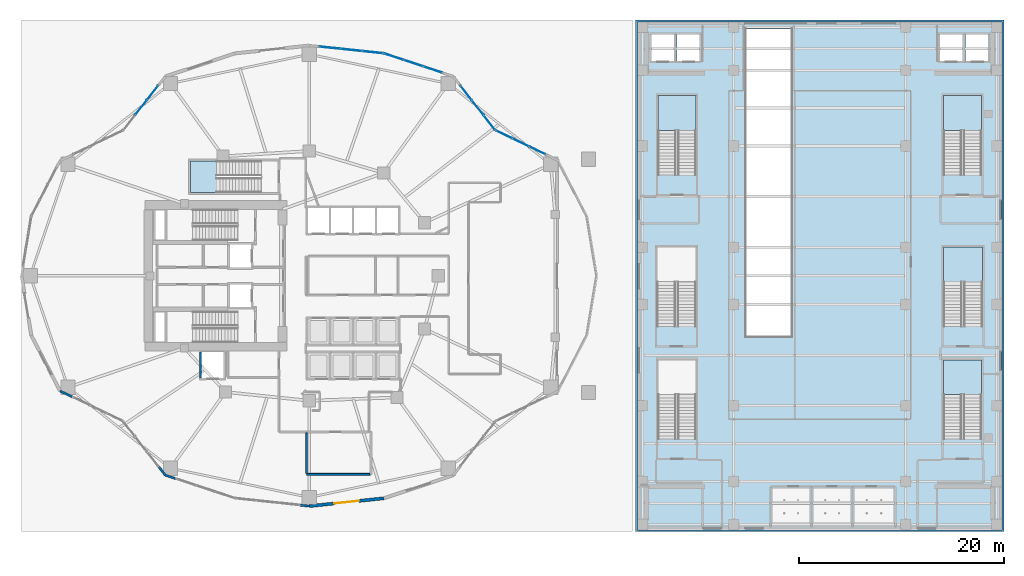
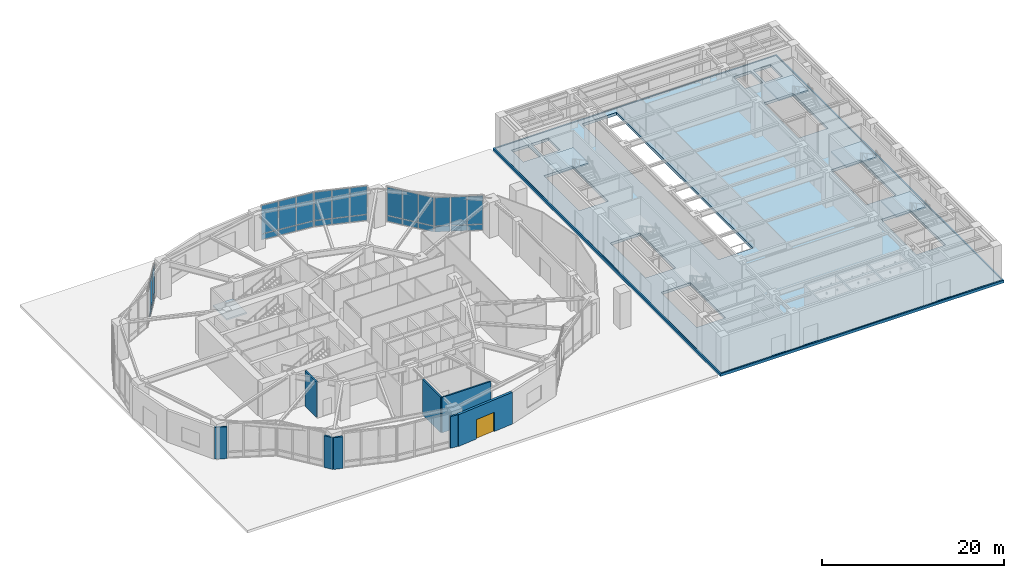
# One storey, part 10 of 23: 28 plates, 8 walls, 7 slabs, 1 door, 1 opening, 10 elements without a shape of their own.
"""IFC4 building model written with IfcOpenShell, lengths in metres."""

import ifcopenshell
import ifcopenshell.guid

model = None  # the IFC model being written
_history = None  # IfcOwnerHistory: only IFC2X3 demands one
_inside = {}  # id of a spatial element -> (the spatial element, [elements in it])
_under = {}  # id of a project, library or spatial element -> (it, [spatial elements below it])
_declared = {}  # id of a project -> (the project, [libraries it declares])
_typed = {}  # id of a type object -> (the type object, [elements of that type])
_made_of = {}  # id of a material, layer set ... -> (it, [elements and type objects made of it])


def new_model(schema):
    """Start an empty IFC model of exactly this schema.

    Asked for "IFC4X3", IfcOpenShell would pick the latest addendum, in which some entities
    have other attributes; the version numbers below select the first issue.
    IFC2X3 requires an IfcOwnerHistory on every rooted entity: one is made here for all.
    """
    global model, _history
    if schema == "IFC4X3":
        model = ifcopenshell.file(schema_version=(4, 3, 0, 0))
    else:
        model = ifcopenshell.file(schema=schema)
    _inside.clear()
    _under.clear()
    _declared.clear()
    _typed.clear()
    _made_of.clear()
    _history = None
    if model.schema == "IFC2X3":
        org = make("IfcOrganization", Name="unknown")
        user = make(
            "IfcPersonAndOrganization",
            ThePerson=make("IfcPerson", FamilyName="unknown"),
            TheOrganization=org,
        )
        app = make(
            "IfcApplication",
            ApplicationDeveloper=org,
            Version="unknown",
            ApplicationFullName="unknown",
            ApplicationIdentifier="unknown",
        )
        _history = make(
            "IfcOwnerHistory",
            OwningUser=user,
            OwningApplication=app,
            ChangeAction="ADDED",
            CreationDate=0,
        )
    return model


def make(cls, **values):
    """One entity of the class cls with the attributes given. An attribute that is None is left unset."""
    return model.create_entity(
        cls, **{name: value for name, value in values.items() if value is not None}
    )


def rooted(cls, **values):
    """An entity with a GlobalId (a new one), such as an element, a storey or a relation."""
    return make(cls, GlobalId=ifcopenshell.guid.new(), OwnerHistory=_history, **values)


def si_unit(unit_type, name, prefix=None):
    """IfcSIUnit, for example si_unit("LENGTHUNIT", "METRE", prefix="MILLI")."""
    return make("IfcSIUnit", UnitType=unit_type, Prefix=prefix, Name=name)


def assignment(units):
    """IfcUnitAssignment: the units of a project."""
    return None if units is None else make("IfcUnitAssignment", Units=units)


def point(xyz):
    """IfcCartesianPoint."""
    return None if xyz is None else make("IfcCartesianPoint", Coordinates=xyz)


def direction(xyz):
    """IfcDirection."""
    return None if xyz is None else make("IfcDirection", DirectionRatios=xyz)


def frame(location, z_axis=None, x_axis=None):
    """IfcAxis2Placement3D, a coordinate frame: its origin and axes. An axis left out is left unset."""
    return make(
        "IfcAxis2Placement3D",
        Location=point(location),
        Axis=direction(z_axis),
        RefDirection=direction(x_axis),
    )


def frame_2d(location, x_axis=None):
    """IfcAxis2Placement2D, a coordinate frame in the plane: its origin and x axis."""
    return make(
        "IfcAxis2Placement2D", Location=point(location), RefDirection=direction(x_axis)
    )


def origin():
    """The frame at (0, 0, 0) with its axes left unset."""
    return frame((0.0, 0.0, 0.0))


def origin_2d():
    """The frame at (0, 0) in the plane with its x axis left unset."""
    return frame_2d((0.0, 0.0))


def place(relative_to, where):
    """IfcLocalPlacement: puts the frame where relative to a parent placement (None: the world)."""
    return make(
        "IfcLocalPlacement", PlacementRelTo=relative_to, RelativePlacement=where
    )


def context(
    kind, dimensions, precision=None, world=None, true_north=None, identifier=None
):
    """IfcGeometricRepresentationContext, for example the 3D "Model" context."""
    return make(
        "IfcGeometricRepresentationContext",
        ContextIdentifier=identifier,
        ContextType=kind,
        CoordinateSpaceDimension=dimensions,
        Precision=precision,
        WorldCoordinateSystem=world,
        TrueNorth=true_north,
    )


def subcontext(parent, identifier, kind, view, scale=None):
    """IfcGeometricRepresentationSubContext, for example "Body" below "Model"."""
    return make(
        "IfcGeometricRepresentationSubContext",
        ContextIdentifier=identifier,
        ContextType=kind,
        ParentContext=parent,
        TargetScale=scale,
        TargetView=view,
    )


def project(units=None, contexts=None):
    """IfcProject with its units and contexts."""
    return rooted(
        "IfcProject",
        Name="project",
        RepresentationContexts=contexts,
        UnitsInContext=assignment(units),
    )


def spatial(cls, under=None, at=None, **own):
    """A site, building, storey or space (cls), placed at a placement, below another one or the project."""
    s = rooted(cls, ObjectPlacement=at, **own)
    if under is not None:
        _under.setdefault(under.id(), (under, []))[1].append(s)
    return s


def polyline(points):
    """IfcPolyline through the points."""
    return make("IfcPolyline", Points=[point(p) for p in points])


def profile(cls, at=None, kind="AREA", **sizes):
    """A parametric profile (cls). Its sizes go by their IFC names, for example OverallWidth=200.0."""
    return make(cls, ProfileType=kind, Position=at, **sizes)


def rectangle(**sizes):
    """IfcRectangleProfileDef."""
    return profile("IfcRectangleProfileDef", **sizes)


def outline(outer, holes=None, kind="AREA"):
    """IfcArbitraryClosedProfileDef: a profile drawn as a closed curve; with holes, ...WithVoids."""
    if holes is None:
        return make("IfcArbitraryClosedProfileDef", ProfileType=kind, OuterCurve=outer)
    return make(
        "IfcArbitraryProfileDefWithVoids",
        ProfileType=kind,
        OuterCurve=outer,
        InnerCurves=holes,
    )


def extrude(swept, where, along, depth):
    """IfcExtrudedAreaSolid: the profile swept, set in the frame where, extruded along a direction by depth."""
    return make(
        "IfcExtrudedAreaSolid",
        SweptArea=swept,
        Position=where,
        ExtrudedDirection=direction(along),
        Depth=depth,
    )


def shape(context_of_items, identifier, shape_type, items):
    """IfcShapeRepresentation: the items that make up one representation, for example the "Body"."""
    return make(
        "IfcShapeRepresentation",
        ContextOfItems=context_of_items,
        RepresentationIdentifier=identifier,
        RepresentationType=shape_type,
        Items=items,
    )


def material(Name=None, Category=None):
    """IfcMaterial."""
    return make("IfcMaterial", Name=Name, Category=Category)


def layer(
    of_material, thickness, ventilated=None, Name=None, Category=None, Priority=None
):
    """IfcMaterialLayer: one layer of a wall or slab, of a material (None: an air gap)."""
    return make(
        "IfcMaterialLayer",
        Material=of_material,
        LayerThickness=thickness,
        IsVentilated=ventilated,
        Name=Name,
        Category=Category,
        Priority=Priority,
    )


def layer_set(layers, Name=None):
    """IfcMaterialLayerSet."""
    return make("IfcMaterialLayerSet", MaterialLayers=layers, LayerSetName=Name)


def made_of(thing, what):
    """Note that an element or type object is made of a material, layer set ...; save() writes the relation."""
    if what is not None:
        _made_of.setdefault(what.id(), (what, []))[1].append(thing)
    return thing


def type_object(cls, material=None, **own):
    """A type object (cls), such as IfcWallType, which elements share."""
    return made_of(rooted(cls, **own), material)


def element(
    cls,
    number,
    at=None,
    inside=None,
    cuts=None,
    type_object=None,
    material=None,
    context=None,
    identifier="Body",
    shape_type=None,
    held_by="IfcProductDefinitionShape",
    body=None,
    shapes=None,
    **own,
):
    """One element of the class cls, such as IfcWall. Its Tag is "e" and its number.

    at: its placement. inside: the storey or other place that contains it. cuts: it is an
    opening in that element (IfcRelVoidsElement). A single representation is given by context,
    identifier, shape_type and body (its items); several are given by shapes. held_by: the class
    of the entity that holds the representations. save() writes the other relations.
    """
    e = rooted(cls, Tag="e%d" % number, ObjectPlacement=at, **own)
    if body is not None:
        shapes = [shape(context, identifier, shape_type, body)]
    if shapes is not None:
        e.Representation = make(held_by, Representations=shapes)
    if inside is not None:
        _inside.setdefault(inside.id(), (inside, []))[1].append(e)
    if cuts is not None:
        rooted(
            "IfcRelVoidsElement", RelatingBuildingElement=cuts, RelatedOpeningElement=e
        )
    if type_object is not None:
        _typed.setdefault(type_object.id(), (type_object, []))[1].append(e)
    return made_of(e, material)


def fill(opening, filler):
    """IfcRelFillsElement: the door or window that sits in an opening."""
    return rooted(
        "IfcRelFillsElement",
        RelatingOpeningElement=opening,
        RelatedBuildingElement=filler,
    )


def aggregate(whole, parts):
    """IfcRelAggregates: a whole, such as a stair, and the parts it consists of."""
    return rooted("IfcRelAggregates", RelatingObject=whole, RelatedObjects=parts)


def save(model, path):
    """Write the relations noted so far, then the file.

    IfcRelAggregates (storeys below a building ...), IfcRelContainedInSpatialStructure (elements
    in a storey), IfcRelDefinesByType, IfcRelAssociatesMaterial and IfcRelDeclares: one each for
    every whole, place, type object, material and project.
    """
    for whole, parts in _under.values():
        aggregate(whole, parts)
    for where, things in _inside.values():
        rooted(
            "IfcRelContainedInSpatialStructure",
            RelatedElements=things,
            RelatingStructure=where,
        )
    for kind, things in _typed.values():
        rooted("IfcRelDefinesByType", RelatedObjects=things, RelatingType=kind)
    for what, things in _made_of.values():
        rooted("IfcRelAssociatesMaterial", RelatedObjects=things, RelatingMaterial=what)
    for by, libraries in _declared.values():
        rooted("IfcRelDeclares", RelatingContext=by, RelatedDefinitions=libraries)
    model.write(path)


model = new_model("IFC4")

# Units and contexts
model_context = context("Model", 3, precision=1e-05, world=origin(), true_north=direction((0.0, 1.0)))
body_context = subcontext(model_context, "Body", "Model", "MODEL_VIEW")
ifc_project = project(units=[si_unit("LENGTHUNIT", "METRE"), si_unit("AREAUNIT", "SQUARE_METRE"), si_unit("VOLUMEUNIT", "CUBIC_METRE"), si_unit("PLANEANGLEUNIT", "RADIAN"), si_unit("MASSUNIT", "GRAM", prefix="KILO")], contexts=[model_context])

# Site, building, storey
site_placement = place(None, origin())
site = spatial("IfcSite", under=ifc_project, at=site_placement, CompositionType="ELEMENT")
building_placement = place(site_placement, origin())
building = spatial("IfcBuilding", under=site, at=building_placement, Name="Kolvaren Gate Tower and Convention Centre", CompositionType="ELEMENT")
storey_placement = place(building_placement, origin())
storey = spatial("IfcBuildingStorey", under=building, at=storey_placement, Name="L00", CompositionType="ELEMENT", Elevation=0.0)

# Curtain wall, plates
ifc_material_1 = material(Name="Anodized Architectural Aluminium Alloy 6063-T6", Category="aluminium")
ifc_layer_1 = layer(ifc_material_1, 0.179931640625)
ifc_layer_set_1 = layer_set([ifc_layer_1], Name="Anodized Architectural Aluminium Alloy 6063-T6")
curtain_wall_type = type_object("IfcCurtainWallType", Name="CW-POD-GLZ", PredefinedType="NOTDEFINED", material=ifc_layer_set_1)
curtain_wall_1_placement = place(storey_placement, origin())
curtain_wall_1 = element("IfcCurtainWall", 1, at=curtain_wall_1_placement, inside=storey, type_object=curtain_wall_type, Name="Tower L00 Unitised Curtain Wall CW-POD-GLZ Bay 02", PredefinedType="NOTDEFINED")
ifc_material_2 = material(Name="Low-E Triple Insulated Glazing Unit 44 mm", Category="glass")
ifc_layer_2 = layer(ifc_material_2, 0.0439453125)
ifc_layer_set_2 = layer_set([ifc_layer_2], Name="Low-E Triple Insulated Glazing Unit 44 mm")
plate_type_1 = type_object("IfcPlateType", Name="CW-PL-IGU-44", PredefinedType="CURTAIN_PANEL", material=ifc_layer_set_2)
plate_1_placement = place(storey_placement, frame((49.15234375, 40.810546875, 0.8876953125), z_axis=(0.0, 0.0, 1.0), x_axis=(0.90136380435, -0.433062688542, 0.0)))
plate_1 = element("IfcPlate", 2, at=plate_1_placement, type_object=plate_type_1, Name="CW-01 panel 1.2", PredefinedType="CURTAIN_PANEL", context=body_context, shape_type="SweptSolid", body=[
    extrude(rectangle(XDim=1.70751953125, YDim=0.0439453125, at=origin_2d()), origin(), (0.0, 0.0, 1.0), 3.777587890625),
])
plate_2_placement = place(storey_placement, frame((50.77587890625, 40.030517578125, 0.8876953125), z_axis=(0.0, 0.0, 1.0), x_axis=(0.90136380435, -0.433062688542, 0.0)))
plate_2 = element("IfcPlate", 3, at=plate_2_placement, type_object=plate_type_1, Name="CW-01 panel 2.2", PredefinedType="CURTAIN_PANEL", context=body_context, shape_type="SweptSolid", body=[
    extrude(rectangle(XDim=1.744873046875, YDim=0.0439453125, at=origin_2d()), origin(), (0.0, 0.0, 1.0), 3.777587890625),
])
plate_3_placement = place(storey_placement, frame((52.399658203125, 39.25048828125, 0.8876953125), z_axis=(0.0, 0.0, 1.0), x_axis=(0.90136380435, -0.433062688542, 0.0)))
plate_3 = element("IfcPlate", 4, at=plate_3_placement, type_object=plate_type_1, Name="CW-01 panel 3.2", PredefinedType="CURTAIN_PANEL", context=body_context, shape_type="SweptSolid", body=[
    extrude(rectangle(XDim=1.70751953125, YDim=0.0439453125, at=origin_2d()), origin(), (0.0, 0.0, 1.0), 3.777587890625),
])

curtain_wall_2_placement = place(storey_placement, origin())
curtain_wall_2 = element("IfcCurtainWall", 5, at=curtain_wall_2_placement, inside=storey, type_object=curtain_wall_type, Name="Tower L00 Unitised Curtain Wall CW-POD-GLZ Bay 03", PredefinedType="NOTDEFINED")
plate_4_placement = place(storey_placement, frame((45.439697265625, 44.885986328125, 0.8876953125), z_axis=(0.0, 0.0, 1.0), x_axis=(0.616425794643, -0.787413004527, 0.0)))
plate_4 = element("IfcPlate", 6, at=plate_4_placement, type_object=plate_type_1, Name="CW-01 panel 1.2", PredefinedType="CURTAIN_PANEL", context=body_context, shape_type="SweptSolid", body=[
    extrude(rectangle(XDim=1.760986328125, YDim=0.0439453125, at=origin_2d()), origin(), (0.0, 0.0, 1.0), 3.777587890625),
])
plate_5_placement = place(storey_placement, frame((46.5830078125, 43.425537109375, 0.8876953125), z_axis=(0.0, 0.0, 1.0), x_axis=(0.616425794643, -0.787413004527, 0.0)))
plate_5 = element("IfcPlate", 7, at=plate_5_placement, type_object=plate_type_1, Name="CW-01 panel 2.2", PredefinedType="CURTAIN_PANEL", context=body_context, shape_type="SweptSolid", body=[
    extrude(rectangle(XDim=1.79833984375, YDim=0.0439453125, at=origin_2d()), origin(), (0.0, 0.0, 1.0), 3.777587890625),
])
plate_6_placement = place(storey_placement, frame((47.726318359375, 41.965087890625, 0.8876953125), z_axis=(0.0, 0.0, 1.0), x_axis=(0.616425794643, -0.787413004527, 0.0)))
plate_6 = element("IfcPlate", 8, at=plate_6_placement, type_object=plate_type_1, Name="CW-01 panel 3.2", PredefinedType="CURTAIN_PANEL", context=body_context, shape_type="SweptSolid", body=[
    extrude(rectangle(XDim=1.760986328125, YDim=0.0439453125, at=origin_2d()), origin(), (0.0, 0.0, 1.0), 3.777587890625),
])

curtain_wall_3_placement = place(storey_placement, origin())
curtain_wall_3 = element("IfcCurtainWall", 9, at=curtain_wall_3_placement, inside=storey, type_object=curtain_wall_type, Name="Tower L00 Unitised Curtain Wall CW-POD-GLZ Bay 04", PredefinedType="NOTDEFINED")
plate_7_placement = place(storey_placement, frame((38.37939453125, 48.41015625, 0.8876953125), z_axis=(0.0, 0.0, 1.0), x_axis=(0.949243688479, -0.314541602786, 0.0)))
plate_7 = element("IfcPlate", 10, at=plate_7_placement, type_object=plate_type_1, Name="CW-01 panel 1.2", PredefinedType="CURTAIN_PANEL", context=body_context, shape_type="SweptSolid", body=[
    extrude(rectangle(XDim=1.904541015625, YDim=0.0439453125, at=origin_2d()), origin(), (0.0, 0.0, 1.0), 3.777587890625),
])
plate_8_placement = place(storey_placement, frame((40.2763671875, 47.78173828125, 0.8876953125), z_axis=(0.0, 0.0, 1.0), x_axis=(0.949243688479, -0.314541602786, 0.0)))
plate_8 = element("IfcPlate", 11, at=plate_8_placement, type_object=plate_type_1, Name="CW-01 panel 2.2", PredefinedType="CURTAIN_PANEL", context=body_context, shape_type="SweptSolid", body=[
    extrude(rectangle(XDim=1.94189453125, YDim=0.0439453125, at=origin_2d()), origin(), (0.0, 0.0, 1.0), 3.777587890625),
])
plate_9_placement = place(storey_placement, frame((42.173095703125, 47.153076171875, 0.8876953125), z_axis=(0.0, 0.0, 1.0), x_axis=(0.949243688479, -0.314541602786, 0.0)))
plate_9 = element("IfcPlate", 12, at=plate_9_placement, type_object=plate_type_1, Name="CW-01 panel 3.2", PredefinedType="CURTAIN_PANEL", context=body_context, shape_type="SweptSolid", body=[
    extrude(rectangle(XDim=1.904541015625, YDim=0.0439453125, at=origin_2d()), origin(), (0.0, 0.0, 1.0), 3.777587890625),
])

curtain_wall_4_placement = place(storey_placement, origin())
curtain_wall_4 = element("IfcCurtainWall", 13, at=curtain_wall_4_placement, inside=storey, type_object=curtain_wall_type, Name="Tower L00 Unitised Curtain Wall CW-POD-GLZ Bay 05", PredefinedType="NOTDEFINED")
plate_10_placement = place(storey_placement, frame((32.126708984375, 49.2890625, 0.8876953125), z_axis=(0.0, 0.0, 1.0), x_axis=(0.994498762941, -0.104748319841, 0.0)))
plate_10 = element("IfcPlate", 14, at=plate_10_placement, type_object=plate_type_1, Name="CW-01 panel 1.2", PredefinedType="CURTAIN_PANEL", context=body_context, shape_type="SweptSolid", body=[
    extrude(rectangle(XDim=2.017578125, YDim=0.0439453125, at=origin_2d()), origin(), (0.0, 0.0, 1.0), 3.777587890625),
])
plate_11_placement = place(storey_placement, frame((34.2265625, 49.068115234375, 0.8876953125), z_axis=(0.0, 0.0, 1.0), x_axis=(0.994498762941, -0.104748319841, 0.0)))
plate_11 = element("IfcPlate", 15, at=plate_11_placement, type_object=plate_type_1, Name="CW-01 panel 2.2", PredefinedType="CURTAIN_PANEL", context=body_context, shape_type="SweptSolid", body=[
    extrude(rectangle(XDim=2.05517578125, YDim=0.0439453125, at=origin_2d()), origin(), (0.0, 0.0, 1.0), 3.777587890625),
])
plate_12_placement = place(storey_placement, frame((36.326416015625, 48.846923828125, 0.8876953125), z_axis=(0.0, 0.0, 1.0), x_axis=(0.994498762941, -0.104748319841, 0.0)))
plate_12 = element("IfcPlate", 16, at=plate_12_placement, type_object=plate_type_1, Name="CW-01 panel 3.2", PredefinedType="CURTAIN_PANEL", context=body_context, shape_type="SweptSolid", body=[
    extrude(rectangle(XDim=2.017578125, YDim=0.0439453125, at=origin_2d()), origin(), (0.0, 0.0, 1.0), 3.777587890625),
])

curtain_wall_5_placement = place(storey_placement, origin())
curtain_wall_5 = element("IfcCurtainWall", 17, at=curtain_wall_5_placement, inside=storey, type_object=curtain_wall_type, Name="Tower L00 Unitised Curtain Wall CW-POD-GLZ Bay 08", PredefinedType="NOTDEFINED")
plate_13_placement = place(storey_placement, frame((13.666748046875, 43.425537109375, 0.8876953125), z_axis=(0.0, 0.0, 1.0), x_axis=(0.616421003276, 0.787416755422, 0.0)))
plate_13 = element("IfcPlate", 18, at=plate_13_placement, type_object=plate_type_1, Name="CW-01 panel 2.2", PredefinedType="CURTAIN_PANEL", context=body_context, shape_type="SweptSolid", body=[
    extrude(rectangle(XDim=1.79833984375, YDim=0.0439453125, at=origin_2d()), origin(), (0.0, 0.0, 1.0), 3.777587890625),
])
plate_14_placement = place(storey_placement, frame((14.81005859375, 44.8857421875, 0.8876953125), z_axis=(0.0, 0.0, 1.0), x_axis=(0.616421003276, 0.787416755422, 0.0)))
plate_14 = element("IfcPlate", 19, at=plate_14_placement, type_object=plate_type_1, Name="CW-01 panel 3.2", PredefinedType="CURTAIN_PANEL", context=body_context, shape_type="SweptSolid", body=[
    extrude(rectangle(XDim=1.7607421875, YDim=0.0439453125, at=origin_2d()), origin(), (0.0, 0.0, 1.0), 3.777587890625),
])

# Plate
ifc_material_3 = material(Name="Solar-Control Laminated Curtain Glazing 36 mm", Category="glass")
ifc_layer_3 = layer(ifc_material_3, 0.035888671875)
ifc_layer_set_3 = layer_set([ifc_layer_3], Name="Solar-Control Laminated Curtain Glazing 36 mm")
plate_type_2 = type_object("IfcPlateType", Name="CW-PL-SPAN-36", PredefinedType="CURTAIN_PANEL", material=ifc_layer_set_3)
plate_15_placement = place(storey_placement, frame((49.15234375, 40.810546875, 0.0751953125), z_axis=(0.0, 0.0, 1.0), x_axis=(0.90136380435, -0.433062688542, 0.0)))
plate_15 = element("IfcPlate", 20, at=plate_15_placement, type_object=plate_type_2, Name="CW-01 panel 1.1", PredefinedType="CURTAIN_PANEL", context=body_context, shape_type="SweptSolid", body=[
    extrude(rectangle(XDim=1.70751953125, YDim=0.035888671875, at=origin_2d()), origin(), (0.0, 0.0, 1.0), 0.737548828125),
])

plate_16_placement = place(storey_placement, frame((50.77587890625, 40.030517578125, 0.0751953125), z_axis=(0.0, 0.0, 1.0), x_axis=(0.90136380435, -0.433062688542, 0.0)))
plate_16 = element("IfcPlate", 21, at=plate_16_placement, type_object=plate_type_2, Name="CW-01 panel 2.1", PredefinedType="CURTAIN_PANEL", context=body_context, shape_type="SweptSolid", body=[
    extrude(rectangle(XDim=1.744873046875, YDim=0.035888671875, at=origin_2d()), origin(), (0.0, 0.0, 1.0), 0.737548828125),
])

plate_17_placement = place(storey_placement, frame((52.399658203125, 39.25048828125, 0.0751953125), z_axis=(0.0, 0.0, 1.0), x_axis=(0.90136380435, -0.433062688542, 0.0)))
plate_17 = element("IfcPlate", 22, at=plate_17_placement, type_object=plate_type_2, Name="CW-01 panel 3.1", PredefinedType="CURTAIN_PANEL", context=body_context, shape_type="SweptSolid", body=[
    extrude(rectangle(XDim=1.70751953125, YDim=0.035888671875, at=origin_2d()), origin(), (0.0, 0.0, 1.0), 0.737548828125),
])

aggregate(curtain_wall_1, [plate_15, plate_1, plate_16, plate_2, plate_17, plate_3])

plate_18_placement = place(storey_placement, frame((45.439697265625, 44.885986328125, 0.0751953125), z_axis=(0.0, 0.0, 1.0), x_axis=(0.616425794643, -0.787413004527, 0.0)))
plate_18 = element("IfcPlate", 23, at=plate_18_placement, type_object=plate_type_2, Name="CW-01 panel 1.1", PredefinedType="CURTAIN_PANEL", context=body_context, shape_type="SweptSolid", body=[
    extrude(rectangle(XDim=1.760986328125, YDim=0.035888671875, at=origin_2d()), origin(), (0.0, 0.0, 1.0), 0.737548828125),
])

plate_19_placement = place(storey_placement, frame((46.5830078125, 43.425537109375, 0.0751953125), z_axis=(0.0, 0.0, 1.0), x_axis=(0.616425794643, -0.787413004527, 0.0)))
plate_19 = element("IfcPlate", 24, at=plate_19_placement, type_object=plate_type_2, Name="CW-01 panel 2.1", PredefinedType="CURTAIN_PANEL", context=body_context, shape_type="SweptSolid", body=[
    extrude(rectangle(XDim=1.79833984375, YDim=0.035888671875, at=origin_2d()), origin(), (0.0, 0.0, 1.0), 0.737548828125),
])

plate_20_placement = place(storey_placement, frame((47.726318359375, 41.965087890625, 0.0751953125), z_axis=(0.0, 0.0, 1.0), x_axis=(0.616425794643, -0.787413004527, 0.0)))
plate_20 = element("IfcPlate", 25, at=plate_20_placement, type_object=plate_type_2, Name="CW-01 panel 3.1", PredefinedType="CURTAIN_PANEL", context=body_context, shape_type="SweptSolid", body=[
    extrude(rectangle(XDim=1.760986328125, YDim=0.035888671875, at=origin_2d()), origin(), (0.0, 0.0, 1.0), 0.737548828125),
])

aggregate(curtain_wall_2, [plate_18, plate_4, plate_19, plate_5, plate_20, plate_6])

plate_21_placement = place(storey_placement, frame((38.37939453125, 48.41015625, 0.0751953125), z_axis=(0.0, 0.0, 1.0), x_axis=(0.949243688479, -0.314541602786, 0.0)))
plate_21 = element("IfcPlate", 26, at=plate_21_placement, type_object=plate_type_2, Name="CW-01 panel 1.1", PredefinedType="CURTAIN_PANEL", context=body_context, shape_type="SweptSolid", body=[
    extrude(rectangle(XDim=1.904541015625, YDim=0.035888671875, at=origin_2d()), origin(), (0.0, 0.0, 1.0), 0.737548828125),
])

plate_22_placement = place(storey_placement, frame((40.2763671875, 47.78173828125, 0.0751953125), z_axis=(0.0, 0.0, 1.0), x_axis=(0.949243688479, -0.314541602786, 0.0)))
plate_22 = element("IfcPlate", 27, at=plate_22_placement, type_object=plate_type_2, Name="CW-01 panel 2.1", PredefinedType="CURTAIN_PANEL", context=body_context, shape_type="SweptSolid", body=[
    extrude(rectangle(XDim=1.94189453125, YDim=0.035888671875, at=origin_2d()), origin(), (0.0, 0.0, 1.0), 0.737548828125),
])

plate_23_placement = place(storey_placement, frame((42.173095703125, 47.153076171875, 0.0751953125), z_axis=(0.0, 0.0, 1.0), x_axis=(0.949243688479, -0.314541602786, 0.0)))
plate_23 = element("IfcPlate", 28, at=plate_23_placement, type_object=plate_type_2, Name="CW-01 panel 3.1", PredefinedType="CURTAIN_PANEL", context=body_context, shape_type="SweptSolid", body=[
    extrude(rectangle(XDim=1.904541015625, YDim=0.035888671875, at=origin_2d()), origin(), (0.0, 0.0, 1.0), 0.737548828125),
])

aggregate(curtain_wall_3, [plate_21, plate_7, plate_22, plate_8, plate_23, plate_9])

plate_24_placement = place(storey_placement, frame((32.126708984375, 49.2890625, 0.0751953125), z_axis=(0.0, 0.0, 1.0), x_axis=(0.994498762941, -0.104748319841, 0.0)))
plate_24 = element("IfcPlate", 29, at=plate_24_placement, type_object=plate_type_2, Name="CW-01 panel 1.1", PredefinedType="CURTAIN_PANEL", context=body_context, shape_type="SweptSolid", body=[
    extrude(rectangle(XDim=2.017578125, YDim=0.035888671875, at=origin_2d()), origin(), (0.0, 0.0, 1.0), 0.737548828125),
])

plate_25_placement = place(storey_placement, frame((34.2265625, 49.068115234375, 0.0751953125), z_axis=(0.0, 0.0, 1.0), x_axis=(0.994498762941, -0.104748319841, 0.0)))
plate_25 = element("IfcPlate", 30, at=plate_25_placement, type_object=plate_type_2, Name="CW-01 panel 2.1", PredefinedType="CURTAIN_PANEL", context=body_context, shape_type="SweptSolid", body=[
    extrude(rectangle(XDim=2.05517578125, YDim=0.035888671875, at=origin_2d()), origin(), (0.0, 0.0, 1.0), 0.737548828125),
])

plate_26_placement = place(storey_placement, frame((36.326416015625, 48.846923828125, 0.0751953125), z_axis=(0.0, 0.0, 1.0), x_axis=(0.994498762941, -0.104748319841, 0.0)))
plate_26 = element("IfcPlate", 31, at=plate_26_placement, type_object=plate_type_2, Name="CW-01 panel 3.1", PredefinedType="CURTAIN_PANEL", context=body_context, shape_type="SweptSolid", body=[
    extrude(rectangle(XDim=2.017578125, YDim=0.035888671875, at=origin_2d()), origin(), (0.0, 0.0, 1.0), 0.737548828125),
])

aggregate(curtain_wall_4, [plate_24, plate_10, plate_25, plate_11, plate_26, plate_12])

plate_27_placement = place(storey_placement, frame((13.666748046875, 43.425537109375, 0.0751953125), z_axis=(0.0, 0.0, 1.0), x_axis=(0.616421003276, 0.787416755422, 0.0)))
plate_27 = element("IfcPlate", 32, at=plate_27_placement, type_object=plate_type_2, Name="CW-01 panel 2.1", PredefinedType="CURTAIN_PANEL", context=body_context, shape_type="SweptSolid", body=[
    extrude(rectangle(XDim=1.79833984375, YDim=0.035888671875, at=origin_2d()), origin(), (0.0, 0.0, 1.0), 0.737548828125),
])

plate_28_placement = place(storey_placement, frame((14.81005859375, 44.8857421875, 0.0751953125), z_axis=(0.0, 0.0, 1.0), x_axis=(0.616421003276, 0.787416755422, 0.0)))
plate_28 = element("IfcPlate", 33, at=plate_28_placement, type_object=plate_type_2, Name="CW-01 panel 3.1", PredefinedType="CURTAIN_PANEL", context=body_context, shape_type="SweptSolid", body=[
    extrude(rectangle(XDim=1.7607421875, YDim=0.035888671875, at=origin_2d()), origin(), (0.0, 0.0, 1.0), 0.737548828125),
])

aggregate(curtain_wall_5, [plate_27, plate_13, plate_28, plate_14])

# Slabs
ifc_material_4 = material(Name="Concrete C50/60", Category="concrete")
ifc_layer_4 = layer(ifc_material_4, 0.360107421875)
ifc_layer_set_4 = layer_set([ifc_layer_4], Name="Concrete C50/60")
slab_type_1 = type_object("IfcSlabType", Name="STR-SL-FLR-360", PredefinedType="FLOOR", material=ifc_layer_set_4)
slab_1_placement = place(storey_placement, frame((0.0, 0.0, -0.360107421875)))
element("IfcSlab", 34, at=slab_1_placement, inside=storey, type_object=slab_type_1, Name="Ground Plaza Substructure Roof Apron Slab E1", PredefinedType="FLOOR", context=body_context, shape_type="SweptSolid", body=[
    extrude(outline(polyline([(62.0, 2.0), (62.0, 52.0), (98.0, 52.0), (98.0, 2.0), (62.0, 2.0)]), holes=[polyline([(97.820068359375, 51.820068359375), (62.179931640625, 51.820068359375), (62.179931640625, 2.179931640625), (97.820068359375, 2.179931640625), (97.820068359375, 51.820068359375)])]), origin(), (0.0, 0.0, 1.0), 0.360107421875),
])
slab_2_placement = place(storey_placement, frame((0.0, 0.0, -0.360107421875)))
element("IfcSlab", 35, at=slab_2_placement, inside=storey, type_object=slab_type_1, Name="Convention Centre L00 Structural Floor Slab", PredefinedType="FLOOR", context=body_context, shape_type="SweptSolid", body=[
    extrude(outline(polyline([(62.199951171875, 2.199951171875), (97.800048828125, 2.199951171875), (97.800048828125, 51.800048828125), (62.199951171875, 51.800048828125), (62.199951171875, 2.199951171875)]), holes=[polyline([(94.25, 48.0), (94.25, 50.60009765625), (96.449951171875, 50.60009765625), (96.449951171875, 48.0), (94.25, 48.0)]), polyline([(95.89990234375, 22.050048828125), (92.10009765625, 22.050048828125), (92.10009765625, 29.800048828125), (95.89990234375, 29.800048828125), (95.89990234375, 22.050048828125)]), polyline([(95.800048828125, 11.050048828125), (92.10009765625, 11.050048828125), (92.10009765625, 18.800048828125), (95.800048828125, 18.800048828125), (95.800048828125, 11.050048828125)]), polyline([(95.800048828125, 44.60009765625), (95.800048828125, 36.85009765625), (92.10009765625, 36.85009765625), (92.10009765625, 44.60009765625), (95.800048828125, 44.60009765625)]), polyline([(91.75, 48.0), (91.75, 50.60009765625), (93.949951171875, 50.60009765625), (93.949951171875, 48.0), (91.75, 48.0)]), polyline([(77.199951171875, 21.10009765625), (72.800048828125, 21.10009765625), (72.800048828125, 51.10009765625), (77.199951171875, 51.10009765625), (77.199951171875, 21.10009765625)]), polyline([(68.25, 48.0), (66.050048828125, 48.0), (66.050048828125, 50.60009765625), (68.25, 50.60009765625), (68.25, 48.0)]), polyline([(67.89990234375, 18.800048828125), (67.89990234375, 11.050048828125), (64.199951171875, 11.050048828125), (64.199951171875, 18.800048828125), (67.89990234375, 18.800048828125)]), polyline([(67.89990234375, 29.800048828125), (67.89990234375, 22.050048828125), (64.10009765625, 22.050048828125), (64.10009765625, 29.800048828125), (67.89990234375, 29.800048828125)]), polyline([(67.89990234375, 36.85009765625), (64.199951171875, 36.85009765625), (64.199951171875, 44.60009765625), (67.89990234375, 44.60009765625), (67.89990234375, 36.85009765625)]), polyline([(63.550048828125, 48.0), (63.550048828125, 50.60009765625), (65.75, 50.60009765625), (65.75, 48.0), (63.550048828125, 48.0)])]), origin(), (0.0, 0.0, 1.0), 0.360107421875),
])

# Stair, slab
stair_type_1 = type_object("IfcStairType", Name="STR-STAIR-CORE", PredefinedType="HALF_TURN_STAIR", material=ifc_material_4)
stair_1_placement = place(storey_placement, origin())
stair_1 = element("IfcStair", 36, at=stair_1_placement, inside=storey, type_object=stair_type_1, Name="L00 Tower Mid-Zone Exit Stair ST-T3", PredefinedType="HALF_TURN_STAIR")
ifc_layer_5 = layer(ifc_material_4, 0.199951171875)
ifc_layer_set_5 = layer_set([ifc_layer_5], Name="Concrete C50/60")
slab_type_2 = type_object("IfcSlabType", Name="STR-SL-LAND-200", PredefinedType="LANDING", material=ifc_layer_set_5)
slab_3_placement = place(storey_placement, frame((0.0, 0.0, 2.300048828125)))
slab_3 = element("IfcSlab", 37, at=slab_3_placement, type_object=slab_type_2, Name="ST-T3 landing 1", PredefinedType="LANDING", context=body_context, shape_type="SweptSolid", body=[
    extrude(outline(polyline([(21.06005859375, 38.199951171875), (18.5, 38.199951171875), (18.5, 35.159912109375), (21.06005859375, 35.159912109375), (21.06005859375, 38.199951171875)])), origin(), (0.0, 0.0, 1.0), 0.199951171875),
])
aggregate(stair_1, [slab_3])

stair_type_2 = type_object("IfcStairType", Name="STR-STAIR-CONV", PredefinedType="HALF_TURN_STAIR", material=ifc_material_4)
stair_2_placement = place(storey_placement, origin())
stair_2 = element("IfcStair", 38, at=stair_2_placement, inside=storey, type_object=stair_type_2, Name="L00 Convention NW Exit Stair ST-C1", PredefinedType="HALF_TURN_STAIR")
slab_4_placement = place(storey_placement, frame((0.0, 0.0, 2.300048828125)))
slab_4 = element("IfcSlab", 39, at=slab_4_placement, type_object=slab_type_2, Name="ST-C1 landing 1", PredefinedType="LANDING", context=body_context, shape_type="SweptSolid", body=[
    extrude(outline(polyline([(67.89990234375, 41.18994140625), (67.89990234375, 44.60009765625), (64.199951171875, 44.60009765625), (64.199951171875, 41.18994140625), (67.89990234375, 41.18994140625)])), origin(), (0.0, 0.0, 1.0), 0.199951171875),
])
aggregate(stair_2, [slab_4])

stair_3_placement = place(storey_placement, origin())
stair_3 = element("IfcStair", 40, at=stair_3_placement, inside=storey, type_object=stair_type_2, Name="L00 Convention NE Exit Stair ST-C3", PredefinedType="HALF_TURN_STAIR")
slab_5_placement = place(storey_placement, frame((0.0, 0.0, 2.300048828125)))
slab_5 = element("IfcSlab", 41, at=slab_5_placement, type_object=slab_type_2, Name="ST-C3 landing 1", PredefinedType="LANDING", context=body_context, shape_type="SweptSolid", body=[
    extrude(outline(polyline([(95.800048828125, 41.18994140625), (95.800048828125, 44.60009765625), (92.10009765625, 44.60009765625), (92.10009765625, 41.18994140625), (95.800048828125, 41.18994140625)])), origin(), (0.0, 0.0, 1.0), 0.199951171875),
])
aggregate(stair_3, [slab_5])

stair_4_placement = place(storey_placement, origin())
stair_4 = element("IfcStair", 42, at=stair_4_placement, inside=storey, type_object=stair_type_2, Name="L00 Convention SE Exit Stair ST-C4", PredefinedType="HALF_TURN_STAIR")
slab_6_placement = place(storey_placement, frame((0.0, 0.0, 2.300048828125)))
slab_6 = element("IfcSlab", 43, at=slab_6_placement, type_object=slab_type_2, Name="ST-C4 landing 1", PredefinedType="LANDING", context=body_context, shape_type="SweptSolid", body=[
    extrude(outline(polyline([(95.800048828125, 15.389892578125), (95.800048828125, 18.800048828125), (92.10009765625, 18.800048828125), (92.10009765625, 15.389892578125), (95.800048828125, 15.389892578125)])), origin(), (0.0, 0.0, 1.0), 0.199951171875),
])
aggregate(stair_4, [slab_6])

stair_5_placement = place(storey_placement, origin())
stair_5 = element("IfcStair", 44, at=stair_5_placement, inside=storey, type_object=stair_type_2, Name="L00 Convention East Assembly Stair ST-C6", PredefinedType="HALF_TURN_STAIR")
slab_7_placement = place(storey_placement, frame((0.0, 0.0, 2.300048828125)))
slab_7 = element("IfcSlab", 45, at=slab_7_placement, type_object=slab_type_2, Name="ST-C6 landing 1", PredefinedType="LANDING", context=body_context, shape_type="SweptSolid", body=[
    extrude(outline(polyline([(95.89990234375, 26.389892578125), (95.89990234375, 29.800048828125), (92.10009765625, 29.800048828125), (92.10009765625, 26.389892578125), (95.89990234375, 26.389892578125)])), origin(), (0.0, 0.0, 1.0), 0.199951171875),
])
aggregate(stair_5, [slab_7])

# Walls
ifc_material_5 = material(Name="Autoclaved Aerated Masonry Blockwork Class 4 (4.0 MPa)", Category="masonry")
ifc_layer_6 = layer(ifc_material_5, 0.179931640625)
ifc_layer_set_6 = layer_set([ifc_layer_6], Name="Autoclaved Aerated Masonry Blockwork Class 4 (4.0 MPa)")
wall_type_1 = type_object("IfcWallType", Name="ARCH-WL-COMP-180", PredefinedType="SOLIDWALL", material=ifc_layer_set_6)
wall_1_placement = place(storey_placement, frame((29.85009765625, 7.60009765625, 0.0), z_axis=(0.0, 0.0, 1.0), x_axis=(1.0, 0.0, 0.0)))
element("IfcWall", 46, at=wall_1_placement, inside=storey, type_object=wall_type_1, Name="Interior Partition WL-L00-INT-044", PredefinedType="SOLIDWALL", context=body_context, shape_type="SweptSolid", body=[
    extrude(rectangle(XDim=6.2080078125, YDim=0.179931640625, at=frame_2d((3.10400390625, 0.0))), origin(), (0.0, 0.0, 1.0), 4.739990234375),
])
wall_2_placement = place(storey_placement, frame((29.85009765625, 7.69189453125, 0.0), z_axis=(0.0, 0.0, 1.0), x_axis=(0.0, 1.0, 0.0)))
element("IfcWall", 47, at=wall_2_placement, inside=storey, type_object=wall_type_1, Name="Interior Partition WL-L00-INT-045", PredefinedType="SOLIDWALL", context=body_context, shape_type="SweptSolid", body=[
    extrude(rectangle(XDim=3.966064453125, YDim=0.179931640625, at=frame_2d((1.98291015625, 0.0))), origin(), (0.0, 0.0, 1.0), 4.739990234375),
])
ifc_material_6 = material(Name="Bogota Sabana Bush-Hammered Sandstone Cladding", Category="masonry")
ifc_layer_7 = layer(ifc_material_6, 0.219970703125)
ifc_layer_set_7 = layer_set([ifc_layer_7], Name="Bogota Sabana Bush-Hammered Sandstone Cladding")
wall_type_2 = type_object("IfcWallType", Name="ARCH-WL-PIER-220", PredefinedType="SOLIDWALL", material=ifc_layer_set_7)
wall_3_placement = place(storey_placement, frame((5.76806640625, 15.75, 0.0), z_axis=(0.0, 0.0, 1.0), x_axis=(0.90131879969, -0.433156347438, 0.0)))
element("IfcWall", 48, at=wall_3_placement, inside=storey, type_object=wall_type_2, Name="Tower L00 Unitised Curtain Wall CW-POD-GLZ Bay 14 Left Column Pier Wrap", PredefinedType="SOLIDWALL", context=body_context, shape_type="SweptSolid", body=[
    extrude(rectangle(XDim=1.380859375, YDim=0.219970703125, at=frame_2d((0.6904296875, 0.0))), origin(), (0.0, 0.0, 1.0), 4.262939453125),
])
wall_4_placement = place(storey_placement, frame((15.39892578125, 8.36181640625, 0.0), z_axis=(0.0, 0.0, 1.0), x_axis=(0.616528421162, -0.787332652632, 0.0)))
element("IfcWall", 49, at=wall_4_placement, inside=storey, type_object=wall_type_2, Name="Tower L00 Unitised Curtain Wall CW-POD-GLZ Bay 15 Right Column Pier Wrap", PredefinedType="SOLIDWALL", context=body_context, shape_type="SweptSolid", body=[
    extrude(rectangle(XDim=1.076416015625, YDim=0.219970703125, at=frame_2d((0.5380859375, 0.0))), origin(), (0.0, 0.0, 1.0), 4.262939453125),
])
wall_5_placement = place(storey_placement, frame((16.0625, 7.514404296875, 0.0), z_axis=(0.0, 0.0, 1.0), x_axis=(0.949217086672, -0.314621872045, 0.0)))
element("IfcWall", 50, at=wall_5_placement, inside=storey, type_object=wall_type_2, Name="Tower L00 Unitised Curtain Wall CW-POD-GLZ Bay 16 Left Column Pier Wrap", PredefinedType="SOLIDWALL", context=body_context, shape_type="SweptSolid", body=[
    extrude(rectangle(XDim=1.094970703125, YDim=0.219970703125, at=frame_2d((0.54736328125, 0.0))), origin(), (0.0, 0.0, 1.0), 4.262939453125),
])
wall_6_placement = place(storey_placement, frame((29.201416015625, 4.597412109375, 0.0), z_axis=(0.0, 0.0, 1.0), x_axis=(0.994483824972, -0.104890046567, 0.0)))
element("IfcWall", 51, at=wall_6_placement, inside=storey, type_object=wall_type_2, Name="Tower L00 Unitised Curtain Wall CW-POD-GLZ Bay 17 Right Column Pier Wrap", PredefinedType="SOLIDWALL", context=body_context, shape_type="SweptSolid", body=[
    extrude(rectangle(XDim=0.9287109375, YDim=0.219970703125, at=frame_2d((0.46435546875, 0.0))), origin(), (0.0, 0.0, 1.0), 4.262939453125),
])
ifc_layer_8 = layer(ifc_material_5, 0.199951171875)
ifc_layer_set_8 = layer_set([ifc_layer_8], Name="Autoclaved Aerated Masonry Blockwork Class 4 (4.0 MPa)")
wall_type_3 = type_object("IfcWallType", Name="ARCH-WL-SHAFT-200", PredefinedType="SOLIDWALL", material=ifc_layer_set_8)
wall_7_placement = place(storey_placement, frame((19.5, 17.010009765625, 0.0), z_axis=(0.0, 0.0, 1.0), x_axis=(0.0, 1.0, 0.0)))
element("IfcWall", 52, at=wall_7_placement, inside=storey, type_object=wall_type_3, Name="Elevator SV-01 L00 Fire Shaft Wall W", PredefinedType="SOLIDWALL", context=body_context, shape_type="SweptSolid", body=[
    extrude(rectangle(XDim=2.530029296875, YDim=0.199951171875, at=frame_2d((1.26513671875, 0.0))), origin(), (0.0, 0.0, 1.0), 4.739990234375),
])

# Wall, opening, door
ifc_material_7 = material(Name="Piedmont Cream Honed Limestone Cladding", Category="masonry")
ifc_layer_9 = layer(ifc_material_7, 0.300048828125)
ifc_layer_set_9 = layer_set([ifc_layer_9], Name="Piedmont Cream Honed Limestone Cladding")
wall_type_4 = type_object("IfcWallType", Name="ARCH-WL-STONE-300", PredefinedType="SOLIDWALL", material=ifc_layer_set_9)
wall_8_placement = place(storey_placement, frame((30.125, 4.5, 0.0), z_axis=(0.0, 0.0, 1.0), x_axis=(0.994500334317, 0.104733399844, 0.0)))
wall_8 = element("IfcWall", 53, at=wall_8_placement, inside=storey, type_object=wall_type_4, Name="Tower L00 Honed Stone Spandrel Wall EW-18", PredefinedType="SOLIDWALL", context=body_context, shape_type="SweptSolid", body=[
    extrude(rectangle(XDim=7.319580078125, YDim=0.300048828125, at=frame_2d((3.65966796875, 0.0))), origin(), (0.0, 0.0, 1.0), 4.262939453125),
])
opening_placement = place(wall_8_placement, frame((2.4599609375, 0.0, 0.0)))
opening = element("IfcOpeningElement", 54, at=opening_placement, cuts=wall_8, Name="Opening DE-01", PredefinedType="OPENING", context=body_context, shape_type="SweptSolid", body=[
    extrude(rectangle(XDim=2.39990234375, YDim=2.60009765625, at=frame_2d((1.199951171875, 1.300048828125))), frame((0.0, 0.159912109375, 0.0), z_axis=(0.0, -1.0, 0.0), x_axis=(1.0, 0.0, 0.0)), (0.0, 0.0, 1.0), 0.320068359375),
])
door_type = type_object("IfcDoorType", Name="ARCH-DR-ENT-2400", OperationType="DOUBLE_DOOR_SINGLE_SWING", PredefinedType="DOOR", material=ifc_material_1)
door_placement = place(opening_placement, frame((2.39990234375, 0.0, 0.0), z_axis=(0.0, 0.0, 1.0), x_axis=(-1.0, 0.0, 0.0)))
door = element("IfcDoor", 55, at=door_placement, inside=storey, type_object=door_type, Name="Tower Ground Entrance Portal Door DE-18", OperationType="DOUBLE_DOOR_SINGLE_SWING", OverallHeight=2.60009765625, OverallWidth=2.39990234375, PredefinedType="DOOR", context=body_context, shape_type="SweptSolid", body=[
    extrude(rectangle(XDim=2.39990234375, YDim=2.60009765625, at=frame_2d((1.199951171875, 1.300048828125))), frame((0.0, 0.02490234375, 0.0), z_axis=(0.0, -1.0, 0.0), x_axis=(1.0, 0.0, 0.0)), (0.0, 0.0, 1.0), 0.050048828125),
])
fill(opening, door)

save(model, "model.ifc")
